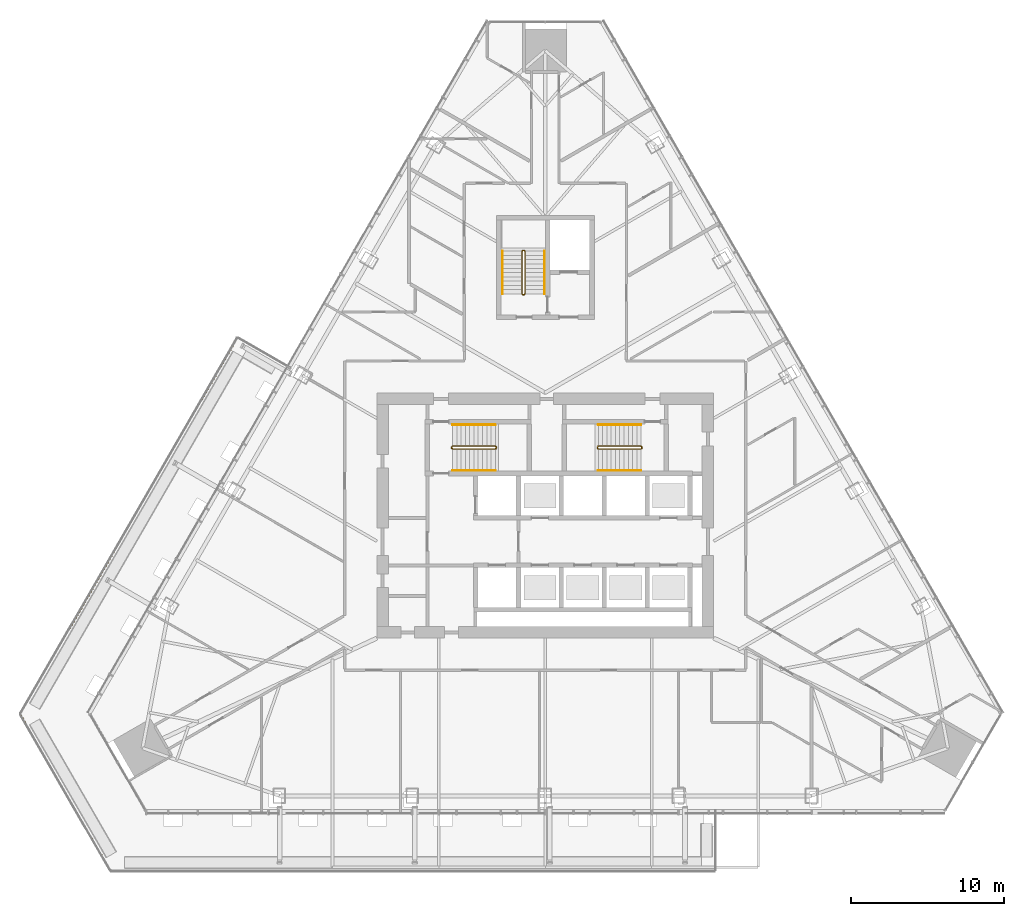
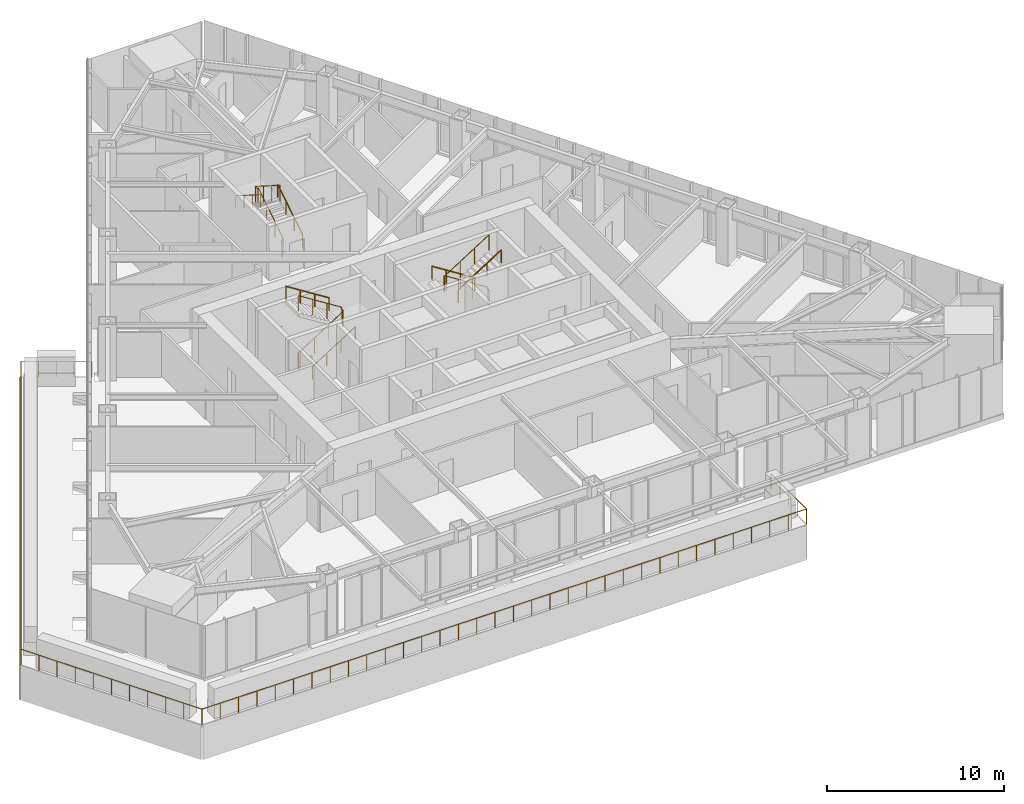
# One storey, part 21 of 23: 10 railings.
"""IFC4 building model written with IfcOpenShell, lengths in metres."""

from ifc_helpers import new_model, si_unit, direction, frame, origin, origin_2d, place, context, subcontext, project, spatial, circle, extrude, material, type_object, element, save


model = new_model("IFC4")

# Units and contexts
model_context = context("Model", 3, precision=1e-05, world=origin(), true_north=direction((0.0, 1.0)))
body_context = subcontext(model_context, "Body", "Model", "MODEL_VIEW")
ifc_project = project(units=[si_unit("LENGTHUNIT", "METRE"), si_unit("AREAUNIT", "SQUARE_METRE"), si_unit("VOLUMEUNIT", "CUBIC_METRE"), si_unit("PLANEANGLEUNIT", "RADIAN"), si_unit("MASSUNIT", "GRAM", prefix="KILO")], contexts=[model_context])

# Site, building, storey
site_placement = place(None, origin())
site = spatial("IfcSite", under=ifc_project, at=site_placement, CompositionType="ELEMENT")
building_placement = place(site_placement, origin())
building = spatial("IfcBuilding", under=site, at=building_placement, Name="Firuza Gate Tower and Library", CompositionType="ELEMENT")
storey_placement = place(building_placement, frame((0.0, 0.0, 190.89990234375)))
storey = spatial("IfcBuildingStorey", under=building, at=storey_placement, Name="L44", CompositionType="ELEMENT", Elevation=190.89990234375)

# Railings
ifc_material_1 = material(Name="Steel S355", Category="steel")
railing_type_1 = type_object("IfcRailingType", Name="Stair guard 1100", PredefinedType="GUARDRAIL", material=ifc_material_1)
railing_1_placement = place(storey_placement, frame((68.889892578125, 79.389892578125, 0.0)))
element("IfcRailing", 1, at=railing_1_placement, inside=storey, type_object=railing_type_1, Name="L44 ST1 stair guard 1", PredefinedType="GUARDRAIL", context=body_context, shape_type="SweptSolid", body=[
    extrude(circle(Radius=0.02392578125, at=origin_2d()), frame((0.0, 0.0, 1.076171875), z_axis=(0.0, 1.0, 0.0), x_axis=(-1.0, 0.0, 0.0)), (0.0, 0.0, 1.0), 0.10009765625),
    extrude(circle(Radius=0.02392578125, at=origin_2d()), frame((0.0, 0.10009765625, 1.076171875), z_axis=(0.210597297161, -0.630764587594, 0.746849927004), x_axis=(0.948528701346, 0.316691178788, 0.0)), (0.0, 0.0, 1.0), 0.237548828125),
    extrude(circle(Radius=0.02392578125, at=origin_2d()), frame((0.050048828125, -0.0498046875, 1.25341796875), z_axis=(0.844908973607, 0.0, 0.534910110503), x_axis=(0.0, 1.0, 0.0)), (0.0, 0.0, 1.0), 3.31396484375),
    extrude(circle(Radius=0.02392578125, at=origin_2d()), frame((2.85009765625, -0.0498046875, 3.0263671875), z_axis=(0.708833529934, 0.705375805398, 0.0), x_axis=(-0.705375805398, 0.708833529934, 0.0)), (0.0, 0.0, 1.0), 0.070556640625),
    extrude(circle(Radius=0.02392578125, at=origin_2d()), frame((2.900146484375, 0.0, 3.0263671875), z_axis=(0.0, 1.0, 0.0), x_axis=(-1.0, 0.0, 0.0)), (0.0, 0.0, 1.0), 0.10009765625),
    extrude(circle(Radius=0.02392578125, at=origin_2d()), frame((2.900146484375, 0.10009765625, 3.0263671875), z_axis=(-0.262233686654, 0.262233686654, 0.928691007369), x_axis=(-0.707106781187, -0.707106781187, 0.0)), (0.0, 0.0, 1.0), 0.19091796875),
    extrude(circle(Radius=0.02392578125, at=origin_2d()), frame((2.85009765625, 0.150146484375, 3.20361328125), z_axis=(-0.844908973607, 0.0, 0.534910110503), x_axis=(0.0, -1.0, 0.0)), (0.0, 0.0, 1.0), 3.31396484375),
    extrude(circle(Radius=0.02099609375, at=origin_2d()), origin(), (0.0, 0.0, 1.0), 1.052001953125),
    extrude(circle(Radius=0.02099609375, at=origin_2d()), frame((0.0, 0.10009765625, 0.0)), (0.0, 0.0, 1.0), 1.052001953125),
    extrude(circle(Radius=0.02099609375, at=origin_2d()), frame((0.050048828125, -0.0498046875, 0.177490234375)), (0.0, 0.0, 1.0), 1.052001953125),
    extrude(circle(Radius=0.02099609375, at=origin_2d()), frame((0.9833984375, -0.0498046875, 0.768310546875)), (0.0, 0.0, 1.0), 1.052001953125),
    extrude(circle(Radius=0.02099609375, at=origin_2d()), frame((1.916748046875, -0.0498046875, 1.359375)), (0.0, 0.0, 1.0), 1.052001953125),
    extrude(circle(Radius=0.02099609375, at=origin_2d()), frame((2.85009765625, -0.0498046875, 1.9501953125)), (0.0, 0.0, 1.0), 1.052001953125),
    extrude(circle(Radius=0.02099609375, at=origin_2d()), frame((2.900146484375, 0.0, 1.9501953125)), (0.0, 0.0, 1.0), 1.052001953125),
    extrude(circle(Radius=0.02099609375, at=origin_2d()), frame((2.900146484375, 0.10009765625, 1.9501953125)), (0.0, 0.0, 1.0), 1.052001953125),
    extrude(circle(Radius=0.02099609375, at=origin_2d()), frame((2.85009765625, 0.150146484375, 2.12744140625)), (0.0, 0.0, 1.0), 1.052001953125),
    extrude(circle(Radius=0.02099609375, at=origin_2d()), frame((1.916748046875, 0.150146484375, 2.71826171875)), (0.0, 0.0, 1.0), 1.052001953125),
    extrude(circle(Radius=0.02099609375, at=origin_2d()), frame((0.9833984375, 0.150146484375, 3.309326171875)), (0.0, 0.0, 1.0), 1.052001953125),
    extrude(circle(Radius=0.02099609375, at=origin_2d()), frame((0.050048828125, 0.150146484375, 3.900146484375)), (0.0, 0.0, 1.0), 1.052001953125),
])
railing_2_placement = place(storey_placement, frame((81.31005859375, 79.489990234375, 0.0)))
element("IfcRailing", 2, at=railing_2_placement, inside=storey, type_object=railing_type_1, Name="L44 ST2 stair guard 1", PredefinedType="GUARDRAIL", context=body_context, shape_type="SweptSolid", body=[
    extrude(circle(Radius=0.02392578125, at=origin_2d()), frame((0.0, 0.0, 1.076171875), z_axis=(0.0, -1.0, 0.0), x_axis=(1.0, 0.0, 0.0)), (0.0, 0.0, 1.0), 0.10009765625),
    extrude(circle(Radius=0.02392578125, at=origin_2d()), frame((0.0, -0.10009765625, 1.076171875), z_axis=(-0.210460854454, 0.631382563363, 0.746366054577), x_axis=(-0.948683298051, -0.316227766017, 0.0)), (0.0, 0.0, 1.0), 0.23779296875),
    extrude(circle(Radius=0.02392578125, at=origin_2d()), frame((-0.050048828125, 0.050048828125, 1.25341796875), z_axis=(-0.844908973607, 0.0, 0.534910110503), x_axis=(0.0, -1.0, 0.0)), (0.0, 0.0, 1.0), 3.31396484375),
    extrude(circle(Radius=0.02392578125, at=origin_2d()), frame((-2.85009765625, 0.050048828125, 3.0263671875), z_axis=(-0.707106781187, -0.707106781187, 0.0), x_axis=(0.707106781187, -0.707106781187, 0.0)), (0.0, 0.0, 1.0), 0.07080078125),
    extrude(circle(Radius=0.02392578125, at=origin_2d()), frame((-2.900146484375, 0.0, 3.0263671875), z_axis=(0.0, -1.0, 0.0), x_axis=(1.0, 0.0, 0.0)), (0.0, 0.0, 1.0), 0.10009765625),
    extrude(circle(Radius=0.02392578125, at=origin_2d()), frame((-2.900146484375, -0.10009765625, 3.0263671875), z_axis=(0.262321481514, -0.261041864531, 0.929001929653), x_axis=(0.705375805398, 0.708833529934, 0.0)), (0.0, 0.0, 1.0), 0.190673828125),
    extrude(circle(Radius=0.02392578125, at=origin_2d()), frame((-2.85009765625, -0.14990234375, 3.20361328125), z_axis=(0.844908973607, 0.0, 0.534910110503), x_axis=(0.0, 1.0, 0.0)), (0.0, 0.0, 1.0), 3.31396484375),
    extrude(circle(Radius=0.02099609375, at=origin_2d()), origin(), (0.0, 0.0, 1.0), 1.052001953125),
    extrude(circle(Radius=0.02099609375, at=origin_2d()), frame((0.0, -0.10009765625, 0.0)), (0.0, 0.0, 1.0), 1.052001953125),
    extrude(circle(Radius=0.02099609375, at=origin_2d()), frame((-0.050048828125, 0.050048828125, 0.177490234375)), (0.0, 0.0, 1.0), 1.052001953125),
    extrude(circle(Radius=0.02099609375, at=origin_2d()), frame((-0.9833984375, 0.050048828125, 0.768310546875)), (0.0, 0.0, 1.0), 1.052001953125),
    extrude(circle(Radius=0.02099609375, at=origin_2d()), frame((-1.916748046875, 0.050048828125, 1.359375)), (0.0, 0.0, 1.0), 1.052001953125),
    extrude(circle(Radius=0.02099609375, at=origin_2d()), frame((-2.85009765625, 0.050048828125, 1.9501953125)), (0.0, 0.0, 1.0), 1.052001953125),
    extrude(circle(Radius=0.02099609375, at=origin_2d()), frame((-2.900146484375, 0.0, 1.9501953125)), (0.0, 0.0, 1.0), 1.052001953125),
    extrude(circle(Radius=0.02099609375, at=origin_2d()), frame((-2.900146484375, -0.10009765625, 1.9501953125)), (0.0, 0.0, 1.0), 1.052001953125),
    extrude(circle(Radius=0.02099609375, at=origin_2d()), frame((-2.85009765625, -0.14990234375, 2.12744140625)), (0.0, 0.0, 1.0), 1.052001953125),
    extrude(circle(Radius=0.02099609375, at=origin_2d()), frame((-1.916748046875, -0.14990234375, 2.71826171875)), (0.0, 0.0, 1.0), 1.052001953125),
    extrude(circle(Radius=0.02099609375, at=origin_2d()), frame((-0.9833984375, -0.14990234375, 3.309326171875)), (0.0, 0.0, 1.0), 1.052001953125),
    extrude(circle(Radius=0.02099609375, at=origin_2d()), frame((-0.050048828125, -0.14990234375, 3.900146484375)), (0.0, 0.0, 1.0), 1.052001953125),
])
railing_3_placement = place(storey_placement, frame((73.6298828125, 89.419921875, 0.0)))
element("IfcRailing", 3, at=railing_3_placement, inside=storey, type_object=railing_type_1, Name="L44 ST3 stair guard 1", PredefinedType="GUARDRAIL", context=body_context, shape_type="SweptSolid", body=[
    extrude(circle(Radius=0.02392578125, at=origin_2d()), frame((0.0, 0.0, 1.076171875), z_axis=(-1.0, 0.0, 0.0), x_axis=(0.0, -1.0, 0.0)), (0.0, 0.0, 1.0), 0.099853515625),
    extrude(circle(Radius=0.02392578125, at=origin_2d()), frame((-0.099853515625, 0.0, 1.076171875), z_axis=(0.630764587594, 0.210597297161, 0.746849927004), x_axis=(-0.316691178788, 0.948528701346, 0.0)), (0.0, 0.0, 1.0), 0.237548828125),
    extrude(circle(Radius=0.02392578125, at=origin_2d()), frame((0.050048828125, 0.050048828125, 1.25341796875), z_axis=(0.0, 0.844908973607, 0.534910110503), x_axis=(-1.0, 0.0, 0.0)), (0.0, 0.0, 1.0), 3.31396484375),
    extrude(circle(Radius=0.02392578125, at=origin_2d()), frame((0.050048828125, 2.85009765625, 3.0263671875), z_axis=(-0.707106781187, 0.707106781187, 0.0), x_axis=(-0.707106781187, -0.707106781187, 0.0)), (0.0, 0.0, 1.0), 0.07080078125),
    extrude(circle(Radius=0.02392578125, at=origin_2d()), frame((0.0, 2.900146484375, 3.0263671875), z_axis=(-1.0, 0.0, 0.0), x_axis=(0.0, -1.0, 0.0)), (0.0, 0.0, 1.0), 0.099853515625),
    extrude(circle(Radius=0.02392578125, at=origin_2d()), frame((-0.099853515625, 2.900146484375, 3.0263671875), z_axis=(-0.262233686654, -0.262233686654, 0.928691007369), x_axis=(0.707106781187, -0.707106781187, 0.0)), (0.0, 0.0, 1.0), 0.19091796875),
    extrude(circle(Radius=0.02392578125, at=origin_2d()), frame((-0.14990234375, 2.85009765625, 3.20361328125), z_axis=(0.0, -0.844908973607, 0.534910110503), x_axis=(1.0, 0.0, 0.0)), (0.0, 0.0, 1.0), 3.31396484375),
    extrude(circle(Radius=0.02099609375, at=origin_2d()), origin(), (0.0, 0.0, 1.0), 1.052001953125),
    extrude(circle(Radius=0.02099609375, at=origin_2d()), frame((-0.099853515625, 0.0, 0.0)), (0.0, 0.0, 1.0), 1.052001953125),
    extrude(circle(Radius=0.02099609375, at=origin_2d()), frame((0.050048828125, 0.050048828125, 0.177490234375)), (0.0, 0.0, 1.0), 1.052001953125),
    extrude(circle(Radius=0.02099609375, at=origin_2d()), frame((0.050048828125, 0.9833984375, 0.768310546875)), (0.0, 0.0, 1.0), 1.052001953125),
    extrude(circle(Radius=0.02099609375, at=origin_2d()), frame((0.050048828125, 1.916748046875, 1.359375)), (0.0, 0.0, 1.0), 1.052001953125),
    extrude(circle(Radius=0.02099609375, at=origin_2d()), frame((0.050048828125, 2.85009765625, 1.9501953125)), (0.0, 0.0, 1.0), 1.052001953125),
    extrude(circle(Radius=0.02099609375, at=origin_2d()), frame((0.0, 2.900146484375, 1.9501953125)), (0.0, 0.0, 1.0), 1.052001953125),
    extrude(circle(Radius=0.02099609375, at=origin_2d()), frame((-0.099853515625, 2.900146484375, 1.9501953125)), (0.0, 0.0, 1.0), 1.052001953125),
    extrude(circle(Radius=0.02099609375, at=origin_2d()), frame((-0.14990234375, 2.85009765625, 2.12744140625)), (0.0, 0.0, 1.0), 1.052001953125),
    extrude(circle(Radius=0.02099609375, at=origin_2d()), frame((-0.14990234375, 1.916748046875, 2.71826171875)), (0.0, 0.0, 1.0), 1.052001953125),
    extrude(circle(Radius=0.02099609375, at=origin_2d()), frame((-0.14990234375, 0.9833984375, 3.309326171875)), (0.0, 0.0, 1.0), 1.052001953125),
    extrude(circle(Radius=0.02099609375, at=origin_2d()), frame((-0.14990234375, 0.050048828125, 3.900146484375)), (0.0, 0.0, 1.0), 1.052001953125),
])
ifc_material_2 = material(Name="Steel S355", Category="steel")
railing_type_2 = type_object("IfcRailingType", Name="Stair handrail 900", PredefinedType="HANDRAIL", material=ifc_material_2)
railing_4_placement = place(storey_placement, frame((68.93994140625, 77.949951171875, 0.177490234375)))
element("IfcRailing", 4, at=railing_4_placement, inside=storey, type_object=railing_type_2, Name="L44 ST1 stair handrail 1", PredefinedType="HANDRAIL", context=body_context, shape_type="SweptSolid", body=[
    extrude(circle(Radius=0.02392578125, at=origin_2d()), frame((0.0, 0.0, 0.8759765625), z_axis=(0.844908973607, 0.0, 0.534910110503), x_axis=(0.0, 1.0, 0.0)), (0.0, 0.0, 1.0), 3.31396484375),
    extrude(circle(Radius=0.02099609375, at=origin_2d()), origin(), (0.0, 0.0, 1.0), 0.851806640625),
    extrude(circle(Radius=0.02099609375, at=origin_2d()), frame((0.933349609375, 0.0, 0.5908203125)), (0.0, 0.0, 1.0), 0.851806640625),
    extrude(circle(Radius=0.02099609375, at=origin_2d()), frame((1.86669921875, 0.0, 1.181884765625)), (0.0, 0.0, 1.0), 0.851806640625),
    extrude(circle(Radius=0.02099609375, at=origin_2d()), frame((2.800048828125, 0.0, 1.772705078125)), (0.0, 0.0, 1.0), 0.851806640625),
])
for number, where, name in (
    (5, (71.739990234375, 80.929931640625, 2.12744140625), "L44 ST1 stair handrail 2"),
    (6, (81.260009765625, 80.929931640625, 0.177490234375), "L44 ST2 stair handrail 1"),
):
    element("IfcRailing", number, at=place(storey_placement, frame(where)), inside=storey, type_object=railing_type_2, Name=name, PredefinedType="HANDRAIL", context=body_context, shape_type="SweptSolid", body=[
        extrude(circle(Radius=0.02392578125, at=origin_2d()), frame((0.0, 0.0, 0.8759765625), z_axis=(-0.844908973607, 0.0, 0.534910110503), x_axis=(0.0, -1.0, 0.0)), (0.0, 0.0, 1.0), 3.31396484375),
        extrude(circle(Radius=0.02099609375, at=origin_2d()), origin(), (0.0, 0.0, 1.0), 0.851806640625),
        extrude(circle(Radius=0.02099609375, at=origin_2d()), frame((-0.933349609375, 0.0, 0.5908203125)), (0.0, 0.0, 1.0), 0.851806640625),
        extrude(circle(Radius=0.02099609375, at=origin_2d()), frame((-1.86669921875, 0.0, 1.181884765625)), (0.0, 0.0, 1.0), 0.851806640625),
        extrude(circle(Radius=0.02099609375, at=origin_2d()), frame((-2.800048828125, 0.0, 1.772705078125)), (0.0, 0.0, 1.0), 0.851806640625),
    ])
railing_5_placement = place(storey_placement, frame((78.4599609375, 77.949951171875, 2.12744140625)))
element("IfcRailing", 7, at=railing_5_placement, inside=storey, type_object=railing_type_2, Name="L44 ST2 stair handrail 2", PredefinedType="HANDRAIL", context=body_context, shape_type="SweptSolid", body=[
    extrude(circle(Radius=0.02392578125, at=origin_2d()), frame((0.0, 0.0, 0.8759765625), z_axis=(0.844908973607, 0.0, 0.534910110503), x_axis=(0.0, 1.0, 0.0)), (0.0, 0.0, 1.0), 3.31396484375),
    extrude(circle(Radius=0.02099609375, at=origin_2d()), origin(), (0.0, 0.0, 1.0), 0.851806640625),
    extrude(circle(Radius=0.02099609375, at=origin_2d()), frame((0.933349609375, 0.0, 0.5908203125)), (0.0, 0.0, 1.0), 0.851806640625),
    extrude(circle(Radius=0.02099609375, at=origin_2d()), frame((1.86669921875, 0.0, 1.181884765625)), (0.0, 0.0, 1.0), 0.851806640625),
    extrude(circle(Radius=0.02099609375, at=origin_2d()), frame((2.800048828125, 0.0, 1.772705078125)), (0.0, 0.0, 1.0), 0.851806640625),
])
railing_6_placement = place(storey_placement, frame((74.949951171875, 89.469970703125, 0.177490234375)))
element("IfcRailing", 8, at=railing_6_placement, inside=storey, type_object=railing_type_2, Name="L44 ST3 stair handrail 1", PredefinedType="HANDRAIL", context=body_context, shape_type="SweptSolid", body=[
    extrude(circle(Radius=0.02392578125, at=origin_2d()), frame((0.0, 0.0, 0.8759765625), z_axis=(0.0, 0.844908973607, 0.534910110503), x_axis=(-1.0, 0.0, 0.0)), (0.0, 0.0, 1.0), 3.31396484375),
    extrude(circle(Radius=0.02099609375, at=origin_2d()), origin(), (0.0, 0.0, 1.0), 0.851806640625),
    extrude(circle(Radius=0.02099609375, at=origin_2d()), frame((0.0, 0.933349609375, 0.5908203125)), (0.0, 0.0, 1.0), 0.851806640625),
    extrude(circle(Radius=0.02099609375, at=origin_2d()), frame((0.0, 1.86669921875, 1.181884765625)), (0.0, 0.0, 1.0), 0.851806640625),
    extrude(circle(Radius=0.02099609375, at=origin_2d()), frame((0.0, 2.800048828125, 1.772705078125)), (0.0, 0.0, 1.0), 0.851806640625),
])
railing_7_placement = place(storey_placement, frame((72.2099609375, 92.27001953125, 2.12744140625)))
element("IfcRailing", 9, at=railing_7_placement, inside=storey, type_object=railing_type_2, Name="L44 ST3 stair handrail 2", PredefinedType="HANDRAIL", context=body_context, shape_type="SweptSolid", body=[
    extrude(circle(Radius=0.02392578125, at=origin_2d()), frame((0.0, 0.0, 0.8759765625), z_axis=(0.0, -0.844908973607, 0.534910110503), x_axis=(1.0, 0.0, 0.0)), (0.0, 0.0, 1.0), 3.31396484375),
    extrude(circle(Radius=0.02099609375, at=origin_2d()), origin(), (0.0, 0.0, 1.0), 0.851806640625),
    extrude(circle(Radius=0.02099609375, at=origin_2d()), frame((0.0, -0.933349609375, 0.5908203125)), (0.0, 0.0, 1.0), 0.851806640625),
    extrude(circle(Radius=0.02099609375, at=origin_2d()), frame((0.0, -1.86669921875, 1.181884765625)), (0.0, 0.0, 1.0), 0.851806640625),
    extrude(circle(Radius=0.02099609375, at=origin_2d()), frame((0.0, -2.800048828125, 1.772705078125)), (0.0, 0.0, 1.0), 0.851806640625),
])
ifc_material_3 = material(Name="Steel S355", Category="steel")
railing_type_3 = type_object("IfcRailingType", Name="Terrace guard 1100", PredefinedType="GUARDRAIL", material=ifc_material_3)
railing_8_placement = place(storey_placement, frame((58.371337890625, 84.6005859375, 0.0)))
element("IfcRailing", 10, at=railing_8_placement, inside=storey, type_object=railing_type_3, Name="Tray guard L44", PredefinedType="GUARDRAIL", context=body_context, shape_type="SweptSolid", body=[
    extrude(circle(Radius=0.02392578125, at=origin_2d()), frame((0.0, 0.0, 1.076171875), z_axis=(-0.866026010844, 0.49999894854, 0.0), x_axis=(-0.49999894854, -0.866026010844, 0.0)), (0.0, 0.0, 1.0), 4.0),
    extrude(circle(Radius=0.02392578125, at=origin_2d()), frame((-3.464111328125, 2.0, 1.076171875), z_axis=(-0.499998105564, -0.866026497535, 0.0), x_axis=(0.866026497535, -0.499998105564, 0.0)), (0.0, 0.0, 1.0), 28.36669921875),
    extrude(circle(Radius=0.02392578125, at=origin_2d()), frame((-17.6474609375, -22.56640625, 1.076171875), z_axis=(0.500002592159, -0.866023907196, 0.0), x_axis=(0.866023907196, 0.500002592159, 0.0)), (0.0, 0.0, 1.0), 11.81884765625),
    extrude(circle(Radius=0.02392578125, at=origin_2d()), frame((-11.738037109375, -32.8017578125, 1.076171875), z_axis=(1.0, 0.0, 0.0), x_axis=(0.0, 1.0, 0.0)), (0.0, 0.0, 1.0), 39.452392578125),
    extrude(circle(Radius=0.02392578125, at=origin_2d()), frame((27.71435546875, -32.8017578125, 1.076171875), z_axis=(0.0, 1.0, 0.0), x_axis=(-1.0, 0.0, 0.0)), (0.0, 0.0, 1.0), 4.0),
    extrude(circle(Radius=0.02099609375, at=origin_2d()), origin(), (0.0, 0.0, 1.0), 1.052001953125),
    extrude(circle(Radius=0.02099609375, at=origin_2d()), frame((-0.865966796875, 0.5, 0.0)), (0.0, 0.0, 1.0), 1.052001953125),
    extrude(circle(Radius=0.02099609375, at=origin_2d()), frame((-1.73193359375, 1.0, 0.0)), (0.0, 0.0, 1.0), 1.052001953125),
    extrude(circle(Radius=0.02099609375, at=origin_2d()), frame((-2.59814453125, 1.5, 0.0)), (0.0, 0.0, 1.0), 1.052001953125),
    extrude(circle(Radius=0.02099609375, at=origin_2d()), frame((-3.464111328125, 2.0, 0.0)), (0.0, 0.0, 1.0), 1.052001953125),
    extrude(circle(Radius=0.02099609375, at=origin_2d()), frame((-4.05517578125, 0.976318359375, 0.0)), (0.0, 0.0, 1.0), 1.052001953125),
    extrude(circle(Radius=0.02099609375, at=origin_2d()), frame((-4.64599609375, -0.047119140625, 0.0)), (0.0, 0.0, 1.0), 1.052001953125),
    extrude(circle(Radius=0.02099609375, at=origin_2d()), frame((-5.237060546875, -1.07080078125, 0.0)), (0.0, 0.0, 1.0), 1.052001953125),
    extrude(circle(Radius=0.02099609375, at=origin_2d()), frame((-5.828125, -2.094482421875, 0.0)), (0.0, 0.0, 1.0), 1.052001953125),
    extrude(circle(Radius=0.02099609375, at=origin_2d()), frame((-6.4189453125, -3.117919921875, 0.0)), (0.0, 0.0, 1.0), 1.052001953125),
    extrude(circle(Radius=0.02099609375, at=origin_2d()), frame((-7.010009765625, -4.1416015625, 0.0)), (0.0, 0.0, 1.0), 1.052001953125),
    extrude(circle(Radius=0.02099609375, at=origin_2d()), frame((-7.600830078125, -5.165283203125, 0.0)), (0.0, 0.0, 1.0), 1.052001953125),
    extrude(circle(Radius=0.02099609375, at=origin_2d()), frame((-8.19189453125, -6.188720703125, 0.0)), (0.0, 0.0, 1.0), 1.052001953125),
    extrude(circle(Radius=0.02099609375, at=origin_2d()), frame((-8.782958984375, -7.21240234375, 0.0)), (0.0, 0.0, 1.0), 1.052001953125),
    extrude(circle(Radius=0.02099609375, at=origin_2d()), frame((-9.373779296875, -8.236083984375, 0.0)), (0.0, 0.0, 1.0), 1.052001953125),
    extrude(circle(Radius=0.02099609375, at=origin_2d()), frame((-9.96484375, -9.259521484375, 0.0)), (0.0, 0.0, 1.0), 1.052001953125),
    extrude(circle(Radius=0.02099609375, at=origin_2d()), frame((-10.5556640625, -10.283203125, 0.0)), (0.0, 0.0, 1.0), 1.052001953125),
    extrude(circle(Radius=0.02099609375, at=origin_2d()), frame((-11.146728515625, -11.306884765625, 0.0)), (0.0, 0.0, 1.0), 1.052001953125),
    extrude(circle(Radius=0.02099609375, at=origin_2d()), frame((-11.73779296875, -12.330322265625, 0.0)), (0.0, 0.0, 1.0), 1.052001953125),
    extrude(circle(Radius=0.02099609375, at=origin_2d()), frame((-12.32861328125, -13.35400390625, 0.0)), (0.0, 0.0, 1.0), 1.052001953125),
    extrude(circle(Radius=0.02099609375, at=origin_2d()), frame((-12.919677734375, -14.377685546875, 0.0)), (0.0, 0.0, 1.0), 1.052001953125),
    extrude(circle(Radius=0.02099609375, at=origin_2d()), frame((-13.5107421875, -15.401123046875, 0.0)), (0.0, 0.0, 1.0), 1.052001953125),
    extrude(circle(Radius=0.02099609375, at=origin_2d()), frame((-14.1015625, -16.4248046875, 0.0)), (0.0, 0.0, 1.0), 1.052001953125),
    extrude(circle(Radius=0.02099609375, at=origin_2d()), frame((-14.692626953125, -17.448486328125, 0.0)), (0.0, 0.0, 1.0), 1.052001953125),
    extrude(circle(Radius=0.02099609375, at=origin_2d()), frame((-15.28369140625, -18.471923828125, 0.0)), (0.0, 0.0, 1.0), 1.052001953125),
    extrude(circle(Radius=0.02099609375, at=origin_2d()), frame((-15.87451171875, -19.49560546875, 0.0)), (0.0, 0.0, 1.0), 1.052001953125),
    extrude(circle(Radius=0.02099609375, at=origin_2d()), frame((-16.465576171875, -20.519287109375, 0.0)), (0.0, 0.0, 1.0), 1.052001953125),
    extrude(circle(Radius=0.02099609375, at=origin_2d()), frame((-17.056396484375, -21.542724609375, 0.0)), (0.0, 0.0, 1.0), 1.052001953125),
    extrude(circle(Radius=0.02099609375, at=origin_2d()), frame((-17.6474609375, -22.56640625, 0.0)), (0.0, 0.0, 1.0), 1.052001953125),
    extrude(circle(Radius=0.02099609375, at=origin_2d()), frame((-17.056640625, -23.58984375, 0.0)), (0.0, 0.0, 1.0), 1.052001953125),
    extrude(circle(Radius=0.02099609375, at=origin_2d()), frame((-16.465576171875, -24.613525390625, 0.0)), (0.0, 0.0, 1.0), 1.052001953125),
    extrude(circle(Radius=0.02099609375, at=origin_2d()), frame((-15.87451171875, -25.636962890625, 0.0)), (0.0, 0.0, 1.0), 1.052001953125),
    extrude(circle(Radius=0.02099609375, at=origin_2d()), frame((-15.28369140625, -26.66064453125, 0.0)), (0.0, 0.0, 1.0), 1.052001953125),
    extrude(circle(Radius=0.02099609375, at=origin_2d()), frame((-14.69287109375, -27.68408203125, 0.0)), (0.0, 0.0, 1.0), 1.052001953125),
    extrude(circle(Radius=0.02099609375, at=origin_2d()), frame((-14.101806640625, -28.70751953125, 0.0)), (0.0, 0.0, 1.0), 1.052001953125),
    extrude(circle(Radius=0.02099609375, at=origin_2d()), frame((-13.5107421875, -29.731201171875, 0.0)), (0.0, 0.0, 1.0), 1.052001953125),
    extrude(circle(Radius=0.02099609375, at=origin_2d()), frame((-12.919921875, -30.754638671875, 0.0)), (0.0, 0.0, 1.0), 1.052001953125),
    extrude(circle(Radius=0.02099609375, at=origin_2d()), frame((-12.3291015625, -31.7783203125, 0.0)), (0.0, 0.0, 1.0), 1.052001953125),
    extrude(circle(Radius=0.02099609375, at=origin_2d()), frame((-11.738037109375, -32.8017578125, 0.0)), (0.0, 0.0, 1.0), 1.052001953125),
    extrude(circle(Radius=0.02099609375, at=origin_2d()), frame((-10.54248046875, -32.8017578125, 0.0)), (0.0, 0.0, 1.0), 1.052001953125),
    extrude(circle(Radius=0.02099609375, at=origin_2d()), frame((-9.346923828125, -32.8017578125, 0.0)), (0.0, 0.0, 1.0), 1.052001953125),
    extrude(circle(Radius=0.02099609375, at=origin_2d()), frame((-8.1513671875, -32.8017578125, 0.0)), (0.0, 0.0, 1.0), 1.052001953125),
    extrude(circle(Radius=0.02099609375, at=origin_2d()), frame((-6.955810546875, -32.8017578125, 0.0)), (0.0, 0.0, 1.0), 1.052001953125),
    extrude(circle(Radius=0.02099609375, at=origin_2d()), frame((-5.760498046875, -32.8017578125, 0.0)), (0.0, 0.0, 1.0), 1.052001953125),
    extrude(circle(Radius=0.02099609375, at=origin_2d()), frame((-4.56494140625, -32.8017578125, 0.0)), (0.0, 0.0, 1.0), 1.052001953125),
    extrude(circle(Radius=0.02099609375, at=origin_2d()), frame((-3.369384765625, -32.8017578125, 0.0)), (0.0, 0.0, 1.0), 1.052001953125),
    extrude(circle(Radius=0.02099609375, at=origin_2d()), frame((-2.173828125, -32.8017578125, 0.0)), (0.0, 0.0, 1.0), 1.052001953125),
    extrude(circle(Radius=0.02099609375, at=origin_2d()), frame((-0.978271484375, -32.8017578125, 0.0)), (0.0, 0.0, 1.0), 1.052001953125),
    extrude(circle(Radius=0.02099609375, at=origin_2d()), frame((0.21728515625, -32.8017578125, 0.0)), (0.0, 0.0, 1.0), 1.052001953125),
    extrude(circle(Radius=0.02099609375, at=origin_2d()), frame((1.412841796875, -32.8017578125, 0.0)), (0.0, 0.0, 1.0), 1.052001953125),
    extrude(circle(Radius=0.02099609375, at=origin_2d()), frame((2.6083984375, -32.8017578125, 0.0)), (0.0, 0.0, 1.0), 1.052001953125),
    extrude(circle(Radius=0.02099609375, at=origin_2d()), frame((3.8037109375, -32.8017578125, 0.0)), (0.0, 0.0, 1.0), 1.052001953125),
    extrude(circle(Radius=0.02099609375, at=origin_2d()), frame((4.999267578125, -32.8017578125, 0.0)), (0.0, 0.0, 1.0), 1.052001953125),
    extrude(circle(Radius=0.02099609375, at=origin_2d()), frame((6.19482421875, -32.8017578125, 0.0)), (0.0, 0.0, 1.0), 1.052001953125),
    extrude(circle(Radius=0.02099609375, at=origin_2d()), frame((7.390380859375, -32.8017578125, 0.0)), (0.0, 0.0, 1.0), 1.052001953125),
    extrude(circle(Radius=0.02099609375, at=origin_2d()), frame((8.5859375, -32.8017578125, 0.0)), (0.0, 0.0, 1.0), 1.052001953125),
    extrude(circle(Radius=0.02099609375, at=origin_2d()), frame((9.781494140625, -32.8017578125, 0.0)), (0.0, 0.0, 1.0), 1.052001953125),
    extrude(circle(Radius=0.02099609375, at=origin_2d()), frame((10.97705078125, -32.8017578125, 0.0)), (0.0, 0.0, 1.0), 1.052001953125),
    extrude(circle(Radius=0.02099609375, at=origin_2d()), frame((12.172607421875, -32.8017578125, 0.0)), (0.0, 0.0, 1.0), 1.052001953125),
    extrude(circle(Radius=0.02099609375, at=origin_2d()), frame((13.367919921875, -32.8017578125, 0.0)), (0.0, 0.0, 1.0), 1.052001953125),
    extrude(circle(Radius=0.02099609375, at=origin_2d()), frame((14.5634765625, -32.8017578125, 0.0)), (0.0, 0.0, 1.0), 1.052001953125),
    extrude(circle(Radius=0.02099609375, at=origin_2d()), frame((15.759033203125, -32.8017578125, 0.0)), (0.0, 0.0, 1.0), 1.052001953125),
    extrude(circle(Radius=0.02099609375, at=origin_2d()), frame((16.95458984375, -32.8017578125, 0.0)), (0.0, 0.0, 1.0), 1.052001953125),
    extrude(circle(Radius=0.02099609375, at=origin_2d()), frame((18.150146484375, -32.8017578125, 0.0)), (0.0, 0.0, 1.0), 1.052001953125),
    extrude(circle(Radius=0.02099609375, at=origin_2d()), frame((19.345703125, -32.8017578125, 0.0)), (0.0, 0.0, 1.0), 1.052001953125),
    extrude(circle(Radius=0.02099609375, at=origin_2d()), frame((20.541259765625, -32.8017578125, 0.0)), (0.0, 0.0, 1.0), 1.052001953125),
    extrude(circle(Radius=0.02099609375, at=origin_2d()), frame((21.73681640625, -32.8017578125, 0.0)), (0.0, 0.0, 1.0), 1.052001953125),
    extrude(circle(Radius=0.02099609375, at=origin_2d()), frame((22.93212890625, -32.8017578125, 0.0)), (0.0, 0.0, 1.0), 1.052001953125),
    extrude(circle(Radius=0.02099609375, at=origin_2d()), frame((24.127685546875, -32.8017578125, 0.0)), (0.0, 0.0, 1.0), 1.052001953125),
    extrude(circle(Radius=0.02099609375, at=origin_2d()), frame((25.3232421875, -32.8017578125, 0.0)), (0.0, 0.0, 1.0), 1.052001953125),
    extrude(circle(Radius=0.02099609375, at=origin_2d()), frame((26.518798828125, -32.8017578125, 0.0)), (0.0, 0.0, 1.0), 1.052001953125),
    extrude(circle(Radius=0.02099609375, at=origin_2d()), frame((27.71435546875, -32.8017578125, 0.0)), (0.0, 0.0, 1.0), 1.052001953125),
    extrude(circle(Radius=0.02099609375, at=origin_2d()), frame((27.71435546875, -31.8017578125, 0.0)), (0.0, 0.0, 1.0), 1.052001953125),
    extrude(circle(Radius=0.02099609375, at=origin_2d()), frame((27.71435546875, -30.8017578125, 0.0)), (0.0, 0.0, 1.0), 1.052001953125),
    extrude(circle(Radius=0.02099609375, at=origin_2d()), frame((27.71435546875, -29.8017578125, 0.0)), (0.0, 0.0, 1.0), 1.052001953125),
    extrude(circle(Radius=0.02099609375, at=origin_2d()), frame((27.71435546875, -28.8017578125, 0.0)), (0.0, 0.0, 1.0), 1.052001953125),
])

save(model, "model.ifc")
